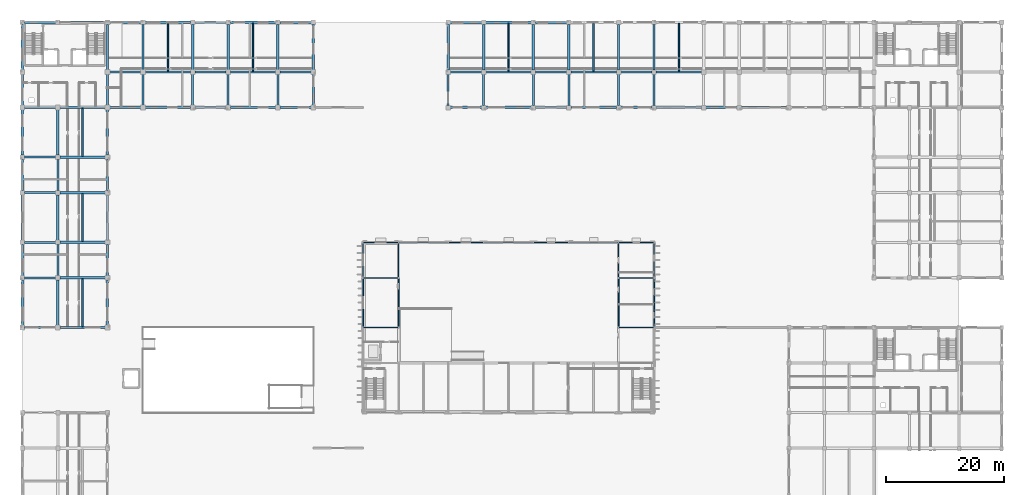
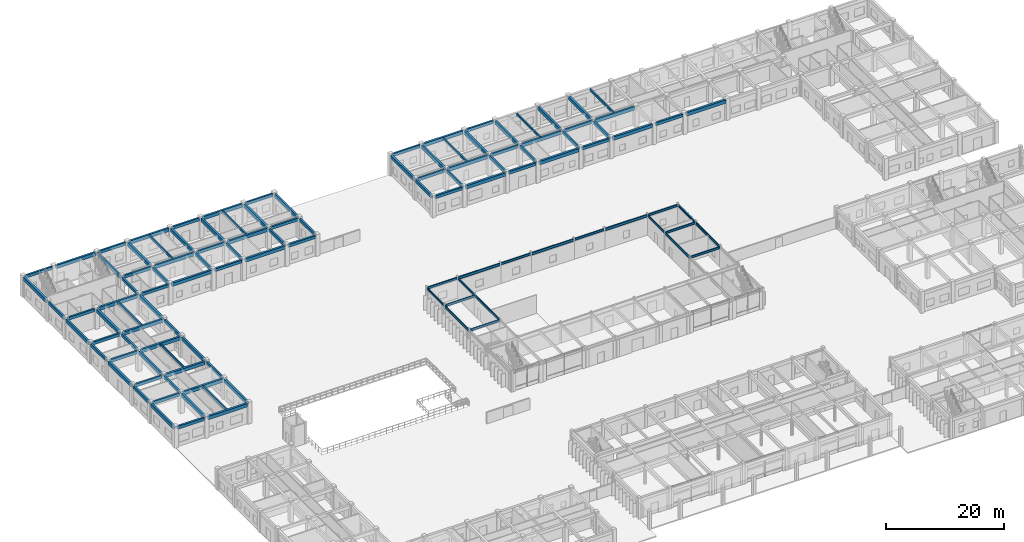
# One storey, part 19 of 67: 114 beams.
"""IFC4 building model written with IfcOpenShell, lengths in metres."""

from ifc_helpers import new_model, si_unit, direction, frame, origin, origin_2d, place, context, subcontext, project, spatial, rectangle, i_section, extrude, material, material_profile, profile_set, type_object, element, save


model = new_model("IFC4")

# Units and contexts
model_context = context("Model", 3, precision=1e-05, world=origin(), true_north=direction((0.0, 1.0)))
body_context = subcontext(model_context, "Body", "Model", "MODEL_VIEW")
ifc_project = project(units=[si_unit("LENGTHUNIT", "METRE"), si_unit("AREAUNIT", "SQUARE_METRE"), si_unit("VOLUMEUNIT", "CUBIC_METRE"), si_unit("PLANEANGLEUNIT", "RADIAN"), si_unit("MASSUNIT", "GRAM", prefix="KILO"), si_unit("THERMODYNAMICTEMPERATUREUNIT", "KELVIN")], contexts=[model_context])

# Site, building, storey
site_placement = place(None, origin())
site = spatial("IfcSite", under=ifc_project, at=site_placement, CompositionType="ELEMENT")
building_placement = place(site_placement, origin())
building = spatial("IfcBuilding", under=site, at=building_placement, Name="Thalorik Housing Commons", CompositionType="ELEMENT")
storey_placement = place(building_placement, origin())
storey = spatial("IfcBuildingStorey", under=building, at=storey_placement, Name="L00", CompositionType="ELEMENT", Elevation=0.0)

# Beams
ifc_material_1 = material(Name="Precast concrete C40/50", Category="concrete")
ifc_material_profile_1 = material_profile(ifc_material_1, rectangle(XDim=0.35009765625, YDim=0.60009765625, at=origin_2d()), Name="PC 350x600", Category="concrete")
ifc_profile_set_1 = profile_set([ifc_material_profile_1], Name="Precast concrete C40/50")
beam_type_1 = type_object("IfcBeamType", Name="STR-BM-PC350x600", PredefinedType="BEAM", material=ifc_profile_set_1)
for number, where, z_axis, x_axis, name in (
    (1, (8.75, 72.0, 3.89990234375), (1.0, 0.0, 0.0), (0.0, 1.0, 0.0), "L00 Beam B-600"),
    (2, (8.75, 80.39990234375, 3.89990234375), (1.0, 0.0, 0.0), (0.0, 1.0, 0.0), "L00 Beam B-600"),
    (3, (8.75, 86.39990234375, 3.89990234375), (1.0, 0.0, 0.0), (0.0, 1.0, 0.0), "L00 Beam B-600"),
    (4, (8.75, 94.800048828125, 3.89990234375), (1.0, 0.0, 0.0), (0.0, 1.0, 0.0), "L00 Beam B-600"),
    (5, (8.75, 100.800048828125, 3.89990234375), (1.0, 0.0, 0.0), (0.0, 1.0, 0.0), "L00 Beam B-600"),
    (6, (8.75, 109.199951171875, 3.89990234375), (1.0, 0.0, 0.0), (0.0, 1.0, 0.0), "L00 Beam B-600"),
    (7, (23.14990234375, 109.199951171875, 3.89990234375), (1.0, 0.0, 0.0), (0.0, 1.0, 0.0), "L00 Beam B-600"),
    (8, (37.550048828125, 109.199951171875, 3.89990234375), (1.0, 0.0, 0.0), (0.0, 1.0, 0.0), "L00 Beam B-600"),
    (9, (51.949951171875, 109.199951171875, 3.89990234375), (1.0, 0.0, 0.0), (0.0, 1.0, 0.0), "L00 Beam B-600"),
):
    element("IfcBeam", number, at=place(storey_placement, frame(where, z_axis=z_axis, x_axis=x_axis)), inside=storey, type_object=beam_type_1, Name=name, PredefinedType="BEAM", context=body_context, shape_type="SweptSolid", body=[
        extrude(rectangle(XDim=0.35009765625, YDim=0.60009765625, at=origin_2d()), origin(), (0.0, 0.0, 1.0), 5.300048828125),
    ])
beam_1_placement = place(storey_placement, frame((80.72509765625, 109.199951171875, 3.89990234375), z_axis=(1.0, 0.0, 0.0), x_axis=(0.0, 1.0, 0.0)))
element("IfcBeam", 10, at=beam_1_placement, inside=storey, type_object=beam_type_1, Name="L00 Beam B-600", PredefinedType="BEAM", context=body_context, shape_type="SweptSolid", body=[
    extrude(rectangle(XDim=0.35009765625, YDim=0.60009765625, at=origin_2d()), origin(), (0.0, 0.0, 1.0), 5.349853515625),
])
for number, where, z_axis, x_axis, name in (
    (11, (95.125, 109.199951171875, 3.89990234375), (1.0, 0.0, 0.0), (0.0, 1.0, 0.0), "L00 Beam B-600"),
    (12, (109.52490234375, 109.199951171875, 3.89990234375), (1.0, 0.0, 0.0), (0.0, 1.0, 0.0), "L00 Beam B-600"),
):
    element("IfcBeam", number, at=place(storey_placement, frame(where, z_axis=z_axis, x_axis=x_axis)), inside=storey, type_object=beam_type_1, Name=name, PredefinedType="BEAM", context=body_context, shape_type="SweptSolid", body=[
        extrude(rectangle(XDim=0.35009765625, YDim=0.60009765625, at=origin_2d()), origin(), (0.0, 0.0, 1.0), 5.35009765625),
    ])
beam_2_placement = place(storey_placement, frame((123.925048828125, 109.199951171875, 3.89990234375), z_axis=(1.0, 0.0, 0.0), x_axis=(0.0, 1.0, 0.0)))
element("IfcBeam", 13, at=beam_2_placement, inside=storey, type_object=beam_type_1, Name="L00 Beam B-600", PredefinedType="BEAM", context=body_context, shape_type="SweptSolid", body=[
    extrude(rectangle(XDim=0.35009765625, YDim=0.60009765625, at=origin_2d()), origin(), (0.0, 0.0, 1.0), 5.349853515625),
])
for number, where, z_axis, x_axis, name in (
    (14, (23.14990234375, 115.199951171875, 3.89990234375), (1.0, 0.0, 0.0), (0.0, 1.0, 0.0), "L00 Beam B-600"),
    (15, (37.550048828125, 115.199951171875, 3.89990234375), (1.0, 0.0, 0.0), (0.0, 1.0, 0.0), "L00 Beam B-600"),
    (16, (51.949951171875, 115.199951171875, 3.89990234375), (1.0, 0.0, 0.0), (0.0, 1.0, 0.0), "L00 Beam B-600"),
):
    element("IfcBeam", number, at=place(storey_placement, frame(where, z_axis=z_axis, x_axis=x_axis)), inside=storey, type_object=beam_type_1, Name=name, PredefinedType="BEAM", context=body_context, shape_type="SweptSolid", body=[
        extrude(rectangle(XDim=0.35009765625, YDim=0.60009765625, at=origin_2d()), origin(), (0.0, 0.0, 1.0), 5.300048828125),
    ])
beam_3_placement = place(storey_placement, frame((80.72509765625, 115.199951171875, 3.89990234375), z_axis=(1.0, 0.0, 0.0), x_axis=(0.0, 1.0, 0.0)))
element("IfcBeam", 17, at=beam_3_placement, inside=storey, type_object=beam_type_1, Name="L00 Beam B-600", PredefinedType="BEAM", context=body_context, shape_type="SweptSolid", body=[
    extrude(rectangle(XDim=0.35009765625, YDim=0.60009765625, at=origin_2d()), origin(), (0.0, 0.0, 1.0), 5.349853515625),
])
for number, where, z_axis, x_axis, name in (
    (18, (95.125, 115.199951171875, 3.89990234375), (1.0, 0.0, 0.0), (0.0, 1.0, 0.0), "L00 Beam B-600"),
    (19, (109.52490234375, 115.199951171875, 3.89990234375), (1.0, 0.0, 0.0), (0.0, 1.0, 0.0), "L00 Beam B-600"),
):
    element("IfcBeam", number, at=place(storey_placement, frame(where, z_axis=z_axis, x_axis=x_axis)), inside=storey, type_object=beam_type_1, Name=name, PredefinedType="BEAM", context=body_context, shape_type="SweptSolid", body=[
        extrude(rectangle(XDim=0.35009765625, YDim=0.60009765625, at=origin_2d()), origin(), (0.0, 0.0, 1.0), 5.35009765625),
    ])
for number, where, z_axis, x_axis, name in (
    (20, (8.75, 123.60009765625, 3.89990234375), (1.0, 0.0, 0.0), (0.0, 1.0, 0.0), "L00 Beam B-600"),
    (21, (23.14990234375, 123.60009765625, 3.89990234375), (1.0, 0.0, 0.0), (0.0, 1.0, 0.0), "L00 Beam B-600"),
    (22, (37.550048828125, 123.60009765625, 3.89990234375), (1.0, 0.0, 0.0), (0.0, 1.0, 0.0), "L00 Beam B-600"),
    (23, (51.949951171875, 123.60009765625, 3.89990234375), (1.0, 0.0, 0.0), (0.0, 1.0, 0.0), "L00 Beam B-600"),
):
    element("IfcBeam", number, at=place(storey_placement, frame(where, z_axis=z_axis, x_axis=x_axis)), inside=storey, type_object=beam_type_1, Name=name, PredefinedType="BEAM", context=body_context, shape_type="SweptSolid", body=[
        extrude(rectangle(XDim=0.35009765625, YDim=0.60009765625, at=origin_2d()), origin(), (0.0, 0.0, 1.0), 5.300048828125),
    ])
beam_4_placement = place(storey_placement, frame((80.72509765625, 123.60009765625, 3.89990234375), z_axis=(1.0, 0.0, 0.0), x_axis=(0.0, 1.0, 0.0)))
element("IfcBeam", 24, at=beam_4_placement, inside=storey, type_object=beam_type_1, Name="L00 Beam B-600", PredefinedType="BEAM", context=body_context, shape_type="SweptSolid", body=[
    extrude(rectangle(XDim=0.35009765625, YDim=0.60009765625, at=origin_2d()), origin(), (0.0, 0.0, 1.0), 5.349853515625),
])
beam_5_placement = place(storey_placement, frame((95.125, 123.60009765625, 3.89990234375), z_axis=(1.0, 0.0, 0.0), x_axis=(0.0, 1.0, 0.0)))
element("IfcBeam", 25, at=beam_5_placement, inside=storey, type_object=beam_type_1, Name="L00 Beam B-600", PredefinedType="BEAM", context=body_context, shape_type="SweptSolid", body=[
    extrude(rectangle(XDim=0.35009765625, YDim=0.60009765625, at=origin_2d()), origin(), (0.0, 0.0, 1.0), 5.35009765625),
])
for number, where, z_axis, x_axis, name in (
    (26, (8.39990234375, 80.75, 3.89990234375), (0.0, 1.0, 0.0), (-1.0, 0.0, 0.0), "L00 Beam B-600"),
    (27, (8.39990234375, 95.14990234375, 3.89990234375), (0.0, 1.0, 0.0), (-1.0, 0.0, 0.0), "L00 Beam B-600"),
    (28, (8.39990234375, 109.550048828125, 3.89990234375), (0.0, 1.0, 0.0), (-1.0, 0.0, 0.0), "L00 Beam B-600"),
    (29, (14.39990234375, 80.75, 3.89990234375), (0.0, 1.0, 0.0), (-1.0, 0.0, 0.0), "L00 Beam B-600"),
    (30, (14.39990234375, 95.14990234375, 3.89990234375), (0.0, 1.0, 0.0), (-1.0, 0.0, 0.0), "L00 Beam B-600"),
    (31, (22.800048828125, 80.75, 3.89990234375), (0.0, 1.0, 0.0), (-1.0, 0.0, 0.0), "L00 Beam B-600"),
    (32, (22.800048828125, 95.14990234375, 3.89990234375), (0.0, 1.0, 0.0), (-1.0, 0.0, 0.0), "L00 Beam B-600"),
    (33, (22.800048828125, 109.550048828125, 3.89990234375), (0.0, 1.0, 0.0), (-1.0, 0.0, 0.0), "L00 Beam B-600"),
    (34, (28.800048828125, 109.550048828125, 3.89990234375), (0.0, 1.0, 0.0), (-1.0, 0.0, 0.0), "L00 Beam B-600"),
    (35, (37.199951171875, 109.550048828125, 3.89990234375), (0.0, 1.0, 0.0), (-1.0, 0.0, 0.0), "L00 Beam B-600"),
    (36, (43.199951171875, 109.550048828125, 3.89990234375), (0.0, 1.0, 0.0), (-1.0, 0.0, 0.0), "L00 Beam B-600"),
    (37, (51.60009765625, 109.550048828125, 3.89990234375), (0.0, 1.0, 0.0), (-1.0, 0.0, 0.0), "L00 Beam B-600"),
    (38, (57.60009765625, 109.550048828125, 3.89990234375), (0.0, 1.0, 0.0), (-1.0, 0.0, 0.0), "L00 Beam B-600"),
):
    element("IfcBeam", number, at=place(storey_placement, frame(where, z_axis=z_axis, x_axis=x_axis)), inside=storey, type_object=beam_type_1, Name=name, PredefinedType="BEAM", context=body_context, shape_type="SweptSolid", body=[
        extrude(rectangle(XDim=0.35009765625, YDim=0.60009765625, at=origin_2d()), origin(), (0.0, 0.0, 1.0), 5.300048828125),
    ])
for number, where, z_axis, x_axis, name in (
    (39, (80.39990234375, 109.52490234375, 3.89990234375), (0.0, 1.0, 0.0), (-1.0, 0.0, 0.0), "L00 Beam B-600"),
    (40, (86.39990234375, 109.52490234375, 3.89990234375), (0.0, 1.0, 0.0), (-1.0, 0.0, 0.0), "L00 Beam B-600"),
    (41, (94.800048828125, 109.52490234375, 3.89990234375), (0.0, 1.0, 0.0), (-1.0, 0.0, 0.0), "L00 Beam B-600"),
    (42, (100.800048828125, 109.52490234375, 3.89990234375), (0.0, 1.0, 0.0), (-1.0, 0.0, 0.0), "L00 Beam B-600"),
    (43, (109.199951171875, 109.52490234375, 3.89990234375), (0.0, 1.0, 0.0), (-1.0, 0.0, 0.0), "L00 Beam B-600"),
    (44, (115.199951171875, 109.52490234375, 3.89990234375), (0.0, 1.0, 0.0), (-1.0, 0.0, 0.0), "L00 Beam B-600"),
):
    element("IfcBeam", number, at=place(storey_placement, frame(where, z_axis=z_axis, x_axis=x_axis)), inside=storey, type_object=beam_type_1, Name=name, PredefinedType="BEAM", context=body_context, shape_type="SweptSolid", body=[
        extrude(rectangle(XDim=0.35009765625, YDim=0.60009765625, at=origin_2d()), origin(), (0.0, 0.0, 1.0), 5.35009765625),
    ])
ifc_material_profile_2 = material_profile(ifc_material_1, rectangle(XDim=0.39990234375, YDim=0.699951171875, at=origin_2d()), Name="PC 400x700", Category="concrete")
ifc_profile_set_2 = profile_set([ifc_material_profile_2], Name="Precast concrete C40/50")
beam_type_2 = type_object("IfcBeamType", Name="STR-BM-PC400x700", PredefinedType="BEAM", material=ifc_profile_set_2)
for number, where, z_axis, x_axis, name in (
    (45, (14.75, 72.0, 3.85009765625), (1.0, 0.0, 0.0), (0.0, 1.0, 0.0), "L00 Beam B-700"),
    (46, (14.75, 80.39990234375, 3.85009765625), (1.0, 0.0, 0.0), (0.0, 1.0, 0.0), "L00 Beam B-700"),
    (47, (14.75, 86.39990234375, 3.85009765625), (1.0, 0.0, 0.0), (0.0, 1.0, 0.0), "L00 Beam B-700"),
    (48, (14.75, 94.800048828125, 3.85009765625), (1.0, 0.0, 0.0), (0.0, 1.0, 0.0), "L00 Beam B-700"),
    (49, (14.75, 100.800048828125, 3.85009765625), (1.0, 0.0, 0.0), (0.0, 1.0, 0.0), "L00 Beam B-700"),
    (50, (14.75, 109.199951171875, 3.85009765625), (1.0, 0.0, 0.0), (0.0, 1.0, 0.0), "L00 Beam B-700"),
):
    element("IfcBeam", number, at=place(storey_placement, frame(where, z_axis=z_axis, x_axis=x_axis)), inside=storey, type_object=beam_type_2, Name=name, PredefinedType="BEAM", context=body_context, shape_type="SweptSolid", body=[
        extrude(rectangle(XDim=0.39990234375, YDim=0.699951171875, at=origin_2d()), origin(), (0.0, 0.0, 1.0), 7.699951171875),
    ])
beam_6_placement = place(storey_placement, frame((29.14990234375, 109.199951171875, 3.85009765625), z_axis=(1.0, 0.0, 0.0), x_axis=(0.0, 1.0, 0.0)))
element("IfcBeam", 51, at=beam_6_placement, inside=storey, type_object=beam_type_2, Name="L00 Beam B-700", PredefinedType="BEAM", context=body_context, shape_type="SweptSolid", body=[
    extrude(rectangle(XDim=0.39990234375, YDim=0.699951171875, at=origin_2d()), origin(), (0.0, 0.0, 1.0), 7.7001953125),
])
beam_7_placement = place(storey_placement, frame((43.550048828125, 109.199951171875, 3.85009765625), z_axis=(1.0, 0.0, 0.0), x_axis=(0.0, 1.0, 0.0)))
element("IfcBeam", 52, at=beam_7_placement, inside=storey, type_object=beam_type_2, Name="L00 Beam B-700", PredefinedType="BEAM", context=body_context, shape_type="SweptSolid", body=[
    extrude(rectangle(XDim=0.39990234375, YDim=0.699951171875, at=origin_2d()), origin(), (0.0, 0.0, 1.0), 7.699951171875),
])
for number, where, z_axis, x_axis, name in (
    (53, (86.72509765625, 109.199951171875, 3.85009765625), (1.0, 0.0, 0.0), (0.0, 1.0, 0.0), "L00 Beam B-700"),
    (54, (101.125, 109.199951171875, 3.85009765625), (1.0, 0.0, 0.0), (0.0, 1.0, 0.0), "L00 Beam B-700"),
    (55, (115.52490234375, 109.199951171875, 3.85009765625), (1.0, 0.0, 0.0), (0.0, 1.0, 0.0), "L00 Beam B-700"),
    (56, (129.925048828125, 109.199951171875, 3.85009765625), (1.0, 0.0, 0.0), (0.0, 1.0, 0.0), "L00 Beam B-700"),
):
    element("IfcBeam", number, at=place(storey_placement, frame(where, z_axis=z_axis, x_axis=x_axis)), inside=storey, type_object=beam_type_2, Name=name, PredefinedType="BEAM", context=body_context, shape_type="SweptSolid", body=[
        extrude(rectangle(XDim=0.39990234375, YDim=0.699951171875, at=origin_2d()), origin(), (0.0, 0.0, 1.0), 7.75),
    ])
beam_8_placement = place(storey_placement, frame((29.14990234375, 115.199951171875, 3.85009765625), z_axis=(1.0, 0.0, 0.0), x_axis=(0.0, 1.0, 0.0)))
element("IfcBeam", 57, at=beam_8_placement, inside=storey, type_object=beam_type_2, Name="L00 Beam B-700", PredefinedType="BEAM", context=body_context, shape_type="SweptSolid", body=[
    extrude(rectangle(XDim=0.39990234375, YDim=0.699951171875, at=origin_2d()), origin(), (0.0, 0.0, 1.0), 7.7001953125),
])
beam_9_placement = place(storey_placement, frame((43.550048828125, 115.199951171875, 3.85009765625), z_axis=(1.0, 0.0, 0.0), x_axis=(0.0, 1.0, 0.0)))
element("IfcBeam", 58, at=beam_9_placement, inside=storey, type_object=beam_type_2, Name="L00 Beam B-700", PredefinedType="BEAM", context=body_context, shape_type="SweptSolid", body=[
    extrude(rectangle(XDim=0.39990234375, YDim=0.699951171875, at=origin_2d()), origin(), (0.0, 0.0, 1.0), 7.699951171875),
])
for number, where, z_axis, x_axis, name in (
    (59, (86.72509765625, 115.199951171875, 3.85009765625), (1.0, 0.0, 0.0), (0.0, 1.0, 0.0), "L00 Beam B-700"),
    (60, (101.125, 115.199951171875, 3.85009765625), (1.0, 0.0, 0.0), (0.0, 1.0, 0.0), "L00 Beam B-700"),
    (61, (115.52490234375, 115.199951171875, 3.85009765625), (1.0, 0.0, 0.0), (0.0, 1.0, 0.0), "L00 Beam B-700"),
):
    element("IfcBeam", number, at=place(storey_placement, frame(where, z_axis=z_axis, x_axis=x_axis)), inside=storey, type_object=beam_type_2, Name=name, PredefinedType="BEAM", context=body_context, shape_type="SweptSolid", body=[
        extrude(rectangle(XDim=0.39990234375, YDim=0.699951171875, at=origin_2d()), origin(), (0.0, 0.0, 1.0), 7.75),
    ])
beam_10_placement = place(storey_placement, frame((14.75, 123.60009765625, 3.85009765625), z_axis=(1.0, 0.0, 0.0), x_axis=(0.0, 1.0, 0.0)))
element("IfcBeam", 62, at=beam_10_placement, inside=storey, type_object=beam_type_2, Name="L00 Beam B-700", PredefinedType="BEAM", context=body_context, shape_type="SweptSolid", body=[
    extrude(rectangle(XDim=0.39990234375, YDim=0.699951171875, at=origin_2d()), origin(), (0.0, 0.0, 1.0), 7.699951171875),
])
beam_11_placement = place(storey_placement, frame((29.14990234375, 123.60009765625, 3.85009765625), z_axis=(1.0, 0.0, 0.0), x_axis=(0.0, 1.0, 0.0)))
element("IfcBeam", 63, at=beam_11_placement, inside=storey, type_object=beam_type_2, Name="L00 Beam B-700", PredefinedType="BEAM", context=body_context, shape_type="SweptSolid", body=[
    extrude(rectangle(XDim=0.39990234375, YDim=0.699951171875, at=origin_2d()), origin(), (0.0, 0.0, 1.0), 7.7001953125),
])
beam_12_placement = place(storey_placement, frame((43.550048828125, 123.60009765625, 3.85009765625), z_axis=(1.0, 0.0, 0.0), x_axis=(0.0, 1.0, 0.0)))
element("IfcBeam", 64, at=beam_12_placement, inside=storey, type_object=beam_type_2, Name="L00 Beam B-700", PredefinedType="BEAM", context=body_context, shape_type="SweptSolid", body=[
    extrude(rectangle(XDim=0.39990234375, YDim=0.699951171875, at=origin_2d()), origin(), (0.0, 0.0, 1.0), 7.699951171875),
])
beam_13_placement = place(storey_placement, frame((86.72509765625, 123.60009765625, 3.85009765625), z_axis=(1.0, 0.0, 0.0), x_axis=(0.0, 1.0, 0.0)))
element("IfcBeam", 65, at=beam_13_placement, inside=storey, type_object=beam_type_2, Name="L00 Beam B-700", PredefinedType="BEAM", context=body_context, shape_type="SweptSolid", body=[
    extrude(rectangle(XDim=0.39990234375, YDim=0.699951171875, at=origin_2d()), origin(), (0.0, 0.0, 1.0), 7.75),
])
for number, where, z_axis, x_axis, name in (
    (66, (8.39990234375, 72.35009765625, 3.85009765625), (0.0, 1.0, 0.0), (-1.0, 0.0, 0.0), "L00 Beam B-700"),
    (67, (8.39990234375, 86.75, 3.85009765625), (0.0, 1.0, 0.0), (-1.0, 0.0, 0.0), "L00 Beam B-700"),
):
    element("IfcBeam", number, at=place(storey_placement, frame(where, z_axis=z_axis, x_axis=x_axis)), inside=storey, type_object=beam_type_2, Name=name, PredefinedType="BEAM", context=body_context, shape_type="SweptSolid", body=[
        extrude(rectangle(XDim=0.39990234375, YDim=0.699951171875, at=origin_2d()), origin(), (0.0, 0.0, 1.0), 7.699951171875),
    ])
beam_14_placement = place(storey_placement, frame((8.39990234375, 101.14990234375, 3.85009765625), z_axis=(0.0, 1.0, 0.0), x_axis=(-1.0, 0.0, 0.0)))
element("IfcBeam", 68, at=beam_14_placement, inside=storey, type_object=beam_type_2, Name="L00 Beam B-700", PredefinedType="BEAM", context=body_context, shape_type="SweptSolid", body=[
    extrude(rectangle(XDim=0.39990234375, YDim=0.699951171875, at=origin_2d()), origin(), (0.0, 0.0, 1.0), 7.7001953125),
])
for number, where, z_axis, x_axis, name in (
    (69, (8.39990234375, 115.550048828125, 3.85009765625), (0.0, 1.0, 0.0), (-1.0, 0.0, 0.0), "L00 Beam B-700"),
    (70, (14.39990234375, 72.35009765625, 3.85009765625), (0.0, 1.0, 0.0), (-1.0, 0.0, 0.0), "L00 Beam B-700"),
    (71, (14.39990234375, 86.75, 3.85009765625), (0.0, 1.0, 0.0), (-1.0, 0.0, 0.0), "L00 Beam B-700"),
):
    element("IfcBeam", number, at=place(storey_placement, frame(where, z_axis=z_axis, x_axis=x_axis)), inside=storey, type_object=beam_type_2, Name=name, PredefinedType="BEAM", context=body_context, shape_type="SweptSolid", body=[
        extrude(rectangle(XDim=0.39990234375, YDim=0.699951171875, at=origin_2d()), origin(), (0.0, 0.0, 1.0), 7.699951171875),
    ])
beam_15_placement = place(storey_placement, frame((14.39990234375, 101.14990234375, 3.85009765625), z_axis=(0.0, 1.0, 0.0), x_axis=(-1.0, 0.0, 0.0)))
element("IfcBeam", 72, at=beam_15_placement, inside=storey, type_object=beam_type_2, Name="L00 Beam B-700", PredefinedType="BEAM", context=body_context, shape_type="SweptSolid", body=[
    extrude(rectangle(XDim=0.39990234375, YDim=0.699951171875, at=origin_2d()), origin(), (0.0, 0.0, 1.0), 7.7001953125),
])
for number, where, z_axis, x_axis, name in (
    (73, (22.800048828125, 72.35009765625, 3.85009765625), (0.0, 1.0, 0.0), (-1.0, 0.0, 0.0), "L00 Beam B-700"),
    (74, (22.800048828125, 86.75, 3.85009765625), (0.0, 1.0, 0.0), (-1.0, 0.0, 0.0), "L00 Beam B-700"),
):
    element("IfcBeam", number, at=place(storey_placement, frame(where, z_axis=z_axis, x_axis=x_axis)), inside=storey, type_object=beam_type_2, Name=name, PredefinedType="BEAM", context=body_context, shape_type="SweptSolid", body=[
        extrude(rectangle(XDim=0.39990234375, YDim=0.699951171875, at=origin_2d()), origin(), (0.0, 0.0, 1.0), 7.699951171875),
    ])
beam_16_placement = place(storey_placement, frame((22.800048828125, 101.14990234375, 3.85009765625), z_axis=(0.0, 1.0, 0.0), x_axis=(-1.0, 0.0, 0.0)))
element("IfcBeam", 75, at=beam_16_placement, inside=storey, type_object=beam_type_2, Name="L00 Beam B-700", PredefinedType="BEAM", context=body_context, shape_type="SweptSolid", body=[
    extrude(rectangle(XDim=0.39990234375, YDim=0.699951171875, at=origin_2d()), origin(), (0.0, 0.0, 1.0), 7.7001953125),
])
for number, where, z_axis, x_axis, name in (
    (76, (22.800048828125, 115.550048828125, 3.85009765625), (0.0, 1.0, 0.0), (-1.0, 0.0, 0.0), "L00 Beam B-700"),
    (77, (28.800048828125, 115.550048828125, 3.85009765625), (0.0, 1.0, 0.0), (-1.0, 0.0, 0.0), "L00 Beam B-700"),
    (78, (37.199951171875, 115.550048828125, 3.85009765625), (0.0, 1.0, 0.0), (-1.0, 0.0, 0.0), "L00 Beam B-700"),
    (79, (43.199951171875, 115.550048828125, 3.85009765625), (0.0, 1.0, 0.0), (-1.0, 0.0, 0.0), "L00 Beam B-700"),
    (80, (51.60009765625, 115.550048828125, 3.85009765625), (0.0, 1.0, 0.0), (-1.0, 0.0, 0.0), "L00 Beam B-700"),
    (81, (57.60009765625, 115.550048828125, 3.85009765625), (0.0, 1.0, 0.0), (-1.0, 0.0, 0.0), "L00 Beam B-700"),
):
    element("IfcBeam", number, at=place(storey_placement, frame(where, z_axis=z_axis, x_axis=x_axis)), inside=storey, type_object=beam_type_2, Name=name, PredefinedType="BEAM", context=body_context, shape_type="SweptSolid", body=[
        extrude(rectangle(XDim=0.39990234375, YDim=0.699951171875, at=origin_2d()), origin(), (0.0, 0.0, 1.0), 7.699951171875),
    ])
for number, where, z_axis, x_axis, name in (
    (82, (80.39990234375, 115.52490234375, 3.85009765625), (0.0, 1.0, 0.0), (-1.0, 0.0, 0.0), "L00 Beam B-700"),
    (83, (86.39990234375, 115.52490234375, 3.85009765625), (0.0, 1.0, 0.0), (-1.0, 0.0, 0.0), "L00 Beam B-700"),
    (84, (94.800048828125, 115.52490234375, 3.85009765625), (0.0, 1.0, 0.0), (-1.0, 0.0, 0.0), "L00 Beam B-700"),
    (85, (100.800048828125, 115.52490234375, 3.85009765625), (0.0, 1.0, 0.0), (-1.0, 0.0, 0.0), "L00 Beam B-700"),
    (86, (109.199951171875, 115.52490234375, 3.85009765625), (0.0, 1.0, 0.0), (-1.0, 0.0, 0.0), "L00 Beam B-700"),
    (87, (115.199951171875, 115.52490234375, 3.85009765625), (0.0, 1.0, 0.0), (-1.0, 0.0, 0.0), "L00 Beam B-700"),
):
    element("IfcBeam", number, at=place(storey_placement, frame(where, z_axis=z_axis, x_axis=x_axis)), inside=storey, type_object=beam_type_2, Name=name, PredefinedType="BEAM", context=body_context, shape_type="SweptSolid", body=[
        extrude(rectangle(XDim=0.39990234375, YDim=0.699951171875, at=origin_2d()), origin(), (0.0, 0.0, 1.0), 7.75),
    ])
ifc_material_2 = material(Name="Steel S355", Category="steel")
ifc_material_profile_3 = material_profile(ifc_material_2, i_section(OverallWidth=0.179931640625, OverallDepth=0.4130859375, WebThickness=0.009765625, FlangeThickness=0.01611328125, FilletRadius=0.010986328125, at=origin_2d()), Name="W410x75", Category="steel")
ifc_profile_set_3 = profile_set([ifc_material_profile_3], Name="Steel S355")
beam_type_3 = type_object("IfcBeamType", Name="STR-BM-W410x75", PredefinedType="BEAM", material=ifc_profile_set_3)
beam_17_placement = place(storey_placement, frame((66.0, 80.50390625, 3.993408203125), z_axis=(0.0, 1.0, 0.0), x_axis=(-1.0, 0.0, 0.0)))
element("IfcBeam", 88, at=beam_17_placement, inside=storey, type_object=beam_type_3, Name="L00 Beam SB-410", PredefinedType="BEAM", context=body_context, shape_type="SweptSolid", body=[
    extrude(i_section(OverallWidth=0.179931640625, OverallDepth=0.4130859375, WebThickness=0.009765625, FlangeThickness=0.01611328125, FilletRadius=0.010986328125, at=origin_2d()), origin(), (0.0, 0.0, 1.0), 5.7919921875),
])
for number, where, z_axis, x_axis, name in (
    (89, (72.0, 80.47705078125, 3.993408203125), (0.0, 1.0, 0.0), (-1.0, 0.0, 0.0), "L00 Beam SB-410"),
    (90, (109.199951171875, 80.47705078125, 3.993408203125), (0.0, 1.0, 0.0), (-1.0, 0.0, 0.0), "L00 Beam SB-410"),
):
    element("IfcBeam", number, at=place(storey_placement, frame(where, z_axis=z_axis, x_axis=x_axis)), inside=storey, type_object=beam_type_3, Name=name, PredefinedType="BEAM", context=body_context, shape_type="SweptSolid", body=[
        extrude(i_section(OverallWidth=0.179931640625, OverallDepth=0.4130859375, WebThickness=0.009765625, FlangeThickness=0.01611328125, FilletRadius=0.010986328125, at=origin_2d()), origin(), (0.0, 0.0, 1.0), 5.81884765625),
    ])
beam_18_placement = place(storey_placement, frame((115.199951171875, 80.50390625, 3.993408203125), z_axis=(0.0, 1.0, 0.0), x_axis=(-1.0, 0.0, 0.0)))
element("IfcBeam", 91, at=beam_18_placement, inside=storey, type_object=beam_type_3, Name="L00 Beam SB-410", PredefinedType="BEAM", context=body_context, shape_type="SweptSolid", body=[
    extrude(i_section(OverallWidth=0.179931640625, OverallDepth=0.4130859375, WebThickness=0.009765625, FlangeThickness=0.01611328125, FilletRadius=0.010986328125, at=origin_2d()), origin(), (0.0, 0.0, 1.0), 5.7919921875),
])
ifc_material_profile_4 = material_profile(ifc_material_2, i_section(OverallWidth=0.19189453125, OverallDepth=0.462890625, WebThickness=0.010498046875, FlangeThickness=0.017578125, FilletRadius=0.011962890625, at=origin_2d()), Name="W460x89", Category="steel")
ifc_profile_set_4 = profile_set([ifc_material_profile_4], Name="Steel S355")
beam_type_4 = type_object("IfcBeamType", Name="STR-BM-W460x89", PredefinedType="BEAM", material=ifc_profile_set_4)
for number, where, z_axis, x_axis, name in (
    (92, (66.10498046875, 72.0, 3.968505859375), (1.0, 0.0, 0.0), (0.0, 1.0, 0.0), "L00 Beam SB-460"),
    (93, (109.280029296875, 72.0, 3.968505859375), (1.0, 0.0, 0.0), (0.0, 1.0, 0.0), "L00 Beam SB-460"),
    (94, (66.10498046875, 80.39990234375, 3.968505859375), (1.0, 0.0, 0.0), (0.0, 1.0, 0.0), "L00 Beam SB-460"),
    (95, (109.280029296875, 80.39990234375, 3.968505859375), (1.0, 0.0, 0.0), (0.0, 1.0, 0.0), "L00 Beam SB-460"),
):
    element("IfcBeam", number, at=place(storey_placement, frame(where, z_axis=z_axis, x_axis=x_axis)), inside=storey, type_object=beam_type_4, Name=name, PredefinedType="BEAM", context=body_context, shape_type="SweptSolid", body=[
        extrude(i_section(OverallWidth=0.19189453125, OverallDepth=0.462890625, WebThickness=0.010498046875, FlangeThickness=0.017578125, FilletRadius=0.011962890625, at=origin_2d()), origin(), (0.0, 0.0, 1.0), 5.81494140625),
    ])
for number, where, z_axis, x_axis, name in (
    (96, (66.10498046875, 86.39990234375, 3.968505859375), (1.0, 0.0, 0.0), (0.0, 1.0, 0.0), "L00 Beam SB-460"),
    (97, (80.5048828125, 86.39990234375, 3.968505859375), (1.0, 0.0, 0.0), (0.0, 1.0, 0.0), "L00 Beam SB-460"),
    (98, (94.905029296875, 86.39990234375, 3.968505859375), (1.0, 0.0, 0.0), (0.0, 1.0, 0.0), "L00 Beam SB-460"),
    (99, (109.304931640625, 86.39990234375, 3.968505859375), (1.0, 0.0, 0.0), (0.0, 1.0, 0.0), "L00 Beam SB-460"),
):
    element("IfcBeam", number, at=place(storey_placement, frame(where, z_axis=z_axis, x_axis=x_axis)), inside=storey, type_object=beam_type_4, Name=name, PredefinedType="BEAM", context=body_context, shape_type="SweptSolid", body=[
        extrude(i_section(OverallWidth=0.19189453125, OverallDepth=0.462890625, WebThickness=0.010498046875, FlangeThickness=0.017578125, FilletRadius=0.011962890625, at=origin_2d()), origin(), (0.0, 0.0, 1.0), 5.7900390625),
    ])
ifc_material_profile_5 = material_profile(ifc_material_2, i_section(OverallWidth=0.2109375, OverallDepth=0.5390625, WebThickness=0.01171875, FlangeThickness=0.018798828125, FilletRadius=0.012939453125, at=origin_2d()), Name="W530x109", Category="steel")
ifc_profile_set_5 = profile_set([ifc_material_profile_5], Name="Steel S355")
beam_type_5 = type_object("IfcBeamType", Name="STR-BM-W530x109", PredefinedType="BEAM", material=ifc_profile_set_5)
beam_19_placement = place(storey_placement, frame((72.10498046875, 86.39990234375, 3.930419921875), z_axis=(1.0, 0.0, 0.0), x_axis=(0.0, 1.0, 0.0)))
element("IfcBeam", 100, at=beam_19_placement, inside=storey, type_object=beam_type_5, Name="L00 Beam SB-530", PredefinedType="BEAM", context=body_context, shape_type="SweptSolid", body=[
    extrude(i_section(OverallWidth=0.2109375, OverallDepth=0.5390625, WebThickness=0.01171875, FlangeThickness=0.018798828125, FilletRadius=0.012939453125, at=origin_2d()), origin(), (0.0, 0.0, 1.0), 8.18994140625),
])
beam_20_placement = place(storey_placement, frame((86.5048828125, 86.39990234375, 3.930419921875), z_axis=(1.0, 0.0, 0.0), x_axis=(0.0, 1.0, 0.0)))
element("IfcBeam", 101, at=beam_20_placement, inside=storey, type_object=beam_type_5, Name="L00 Beam SB-530", PredefinedType="BEAM", context=body_context, shape_type="SweptSolid", body=[
    extrude(i_section(OverallWidth=0.2109375, OverallDepth=0.5390625, WebThickness=0.01171875, FlangeThickness=0.018798828125, FilletRadius=0.012939453125, at=origin_2d()), origin(), (0.0, 0.0, 1.0), 8.190185546875),
])
beam_21_placement = place(storey_placement, frame((100.905029296875, 86.39990234375, 3.930419921875), z_axis=(1.0, 0.0, 0.0), x_axis=(0.0, 1.0, 0.0)))
element("IfcBeam", 102, at=beam_21_placement, inside=storey, type_object=beam_type_5, Name="L00 Beam SB-530", PredefinedType="BEAM", context=body_context, shape_type="SweptSolid", body=[
    extrude(i_section(OverallWidth=0.2109375, OverallDepth=0.5390625, WebThickness=0.01171875, FlangeThickness=0.018798828125, FilletRadius=0.012939453125, at=origin_2d()), origin(), (0.0, 0.0, 1.0), 8.18994140625),
])
ifc_material_profile_6 = material_profile(ifc_material_2, i_section(OverallWidth=0.166015625, OverallDepth=0.534912109375, WebThickness=0.01025390625, FlangeThickness=0.0166015625, FilletRadius=0.012939453125, at=origin_2d()), Name="W530x85", Category="steel")
ifc_profile_set_6 = profile_set([ifc_material_profile_6], Name="Steel S355")
beam_type_6 = type_object("IfcBeamType", Name="STR-BM-W530x85", PredefinedType="BEAM", material=ifc_profile_set_6)
beam_22_placement = place(storey_placement, frame((66.0, 72.10400390625, 3.9326171875), z_axis=(0.0, 1.0, 0.0), x_axis=(-1.0, 0.0, 0.0)))
element("IfcBeam", 103, at=beam_22_placement, inside=storey, type_object=beam_type_6, Name="L00 Beam SB-535", PredefinedType="BEAM", context=body_context, shape_type="SweptSolid", body=[
    extrude(i_section(OverallWidth=0.166015625, OverallDepth=0.534912109375, WebThickness=0.01025390625, FlangeThickness=0.0166015625, FilletRadius=0.012939453125, at=origin_2d()), origin(), (0.0, 0.0, 1.0), 8.19189453125),
])
for number, where, z_axis, x_axis, name in (
    (104, (72.0, 72.076904296875, 3.9326171875), (0.0, 1.0, 0.0), (-1.0, 0.0, 0.0), "L00 Beam SB-535"),
    (105, (109.199951171875, 72.076904296875, 3.9326171875), (0.0, 1.0, 0.0), (-1.0, 0.0, 0.0), "L00 Beam SB-535"),
):
    element("IfcBeam", number, at=place(storey_placement, frame(where, z_axis=z_axis, x_axis=x_axis)), inside=storey, type_object=beam_type_6, Name=name, PredefinedType="BEAM", context=body_context, shape_type="SweptSolid", body=[
        extrude(i_section(OverallWidth=0.166015625, OverallDepth=0.534912109375, WebThickness=0.01025390625, FlangeThickness=0.0166015625, FilletRadius=0.012939453125, at=origin_2d()), origin(), (0.0, 0.0, 1.0), 8.24609375),
    ])
beam_23_placement = place(storey_placement, frame((115.199951171875, 72.10400390625, 3.9326171875), z_axis=(0.0, 1.0, 0.0), x_axis=(-1.0, 0.0, 0.0)))
element("IfcBeam", 106, at=beam_23_placement, inside=storey, type_object=beam_type_6, Name="L00 Beam SB-535", PredefinedType="BEAM", context=body_context, shape_type="SweptSolid", body=[
    extrude(i_section(OverallWidth=0.166015625, OverallDepth=0.534912109375, WebThickness=0.01025390625, FlangeThickness=0.0166015625, FilletRadius=0.012939453125, at=origin_2d()), origin(), (0.0, 0.0, 1.0), 8.19189453125),
])
ifc_material_profile_7 = material_profile(ifc_material_1, rectangle(XDim=0.239990234375, YDim=0.43994140625, at=origin_2d()), Name="PC JST 240x440", Category="concrete")
ifc_profile_set_7 = profile_set([ifc_material_profile_7], Name="Precast concrete C40/50")
beam_type_7 = type_object("IfcBeamType", Name="STR-JST-PC240x440", PredefinedType="JOIST", material=ifc_profile_set_7)
beam_24_placement = place(storey_placement, frame((18.60009765625, 72.14990234375, 3.97998046875), z_axis=(0.0, 1.0, 0.0), x_axis=(-1.0, 0.0, 0.0)))
element("IfcBeam", 107, at=beam_24_placement, inside=storey, type_object=beam_type_7, Name="L00 Beam J-440", PredefinedType="JOIST", context=body_context, shape_type="SweptSolid", body=[
    extrude(rectangle(XDim=0.239990234375, YDim=0.43994140625, at=origin_2d()), origin(), (0.0, 0.0, 1.0), 8.10009765625),
])
beam_25_placement = place(storey_placement, frame((18.60009765625, 86.550048828125, 3.97998046875), z_axis=(0.0, 1.0, 0.0), x_axis=(-1.0, 0.0, 0.0)))
element("IfcBeam", 108, at=beam_25_placement, inside=storey, type_object=beam_type_7, Name="L00 Beam J-440", PredefinedType="JOIST", context=body_context, shape_type="SweptSolid", body=[
    extrude(rectangle(XDim=0.239990234375, YDim=0.43994140625, at=origin_2d()), origin(), (0.0, 0.0, 1.0), 8.099853515625),
])
beam_26_placement = place(storey_placement, frame((18.60009765625, 100.949951171875, 3.97998046875), z_axis=(0.0, 1.0, 0.0), x_axis=(-1.0, 0.0, 0.0)))
element("IfcBeam", 109, at=beam_26_placement, inside=storey, type_object=beam_type_7, Name="L00 Beam J-440", PredefinedType="JOIST", context=body_context, shape_type="SweptSolid", body=[
    extrude(rectangle(XDim=0.239990234375, YDim=0.43994140625, at=origin_2d()), origin(), (0.0, 0.0, 1.0), 8.10009765625),
])
for number, where, z_axis, x_axis, name in (
    (110, (33.0, 115.35009765625, 3.97998046875), (0.0, 1.0, 0.0), (-1.0, 0.0, 0.0), "L00 Beam J-440"),
    (111, (47.39990234375, 115.35009765625, 3.97998046875), (0.0, 1.0, 0.0), (-1.0, 0.0, 0.0), "L00 Beam J-440"),
    (112, (90.60009765625, 115.35009765625, 3.97998046875), (0.0, 1.0, 0.0), (-1.0, 0.0, 0.0), "L00 Beam J-440"),
    (113, (105.0, 115.35009765625, 3.97998046875), (0.0, 1.0, 0.0), (-1.0, 0.0, 0.0), "L00 Beam J-440"),
    (114, (119.39990234375, 115.35009765625, 3.97998046875), (0.0, 1.0, 0.0), (-1.0, 0.0, 0.0), "L00 Beam J-440"),
):
    element("IfcBeam", number, at=place(storey_placement, frame(where, z_axis=z_axis, x_axis=x_axis)), inside=storey, type_object=beam_type_7, Name=name, PredefinedType="JOIST", context=body_context, shape_type="SweptSolid", body=[
        extrude(rectangle(XDim=0.239990234375, YDim=0.43994140625, at=origin_2d()), origin(), (0.0, 0.0, 1.0), 8.099853515625),
    ])

save(model, "model.ifc")
